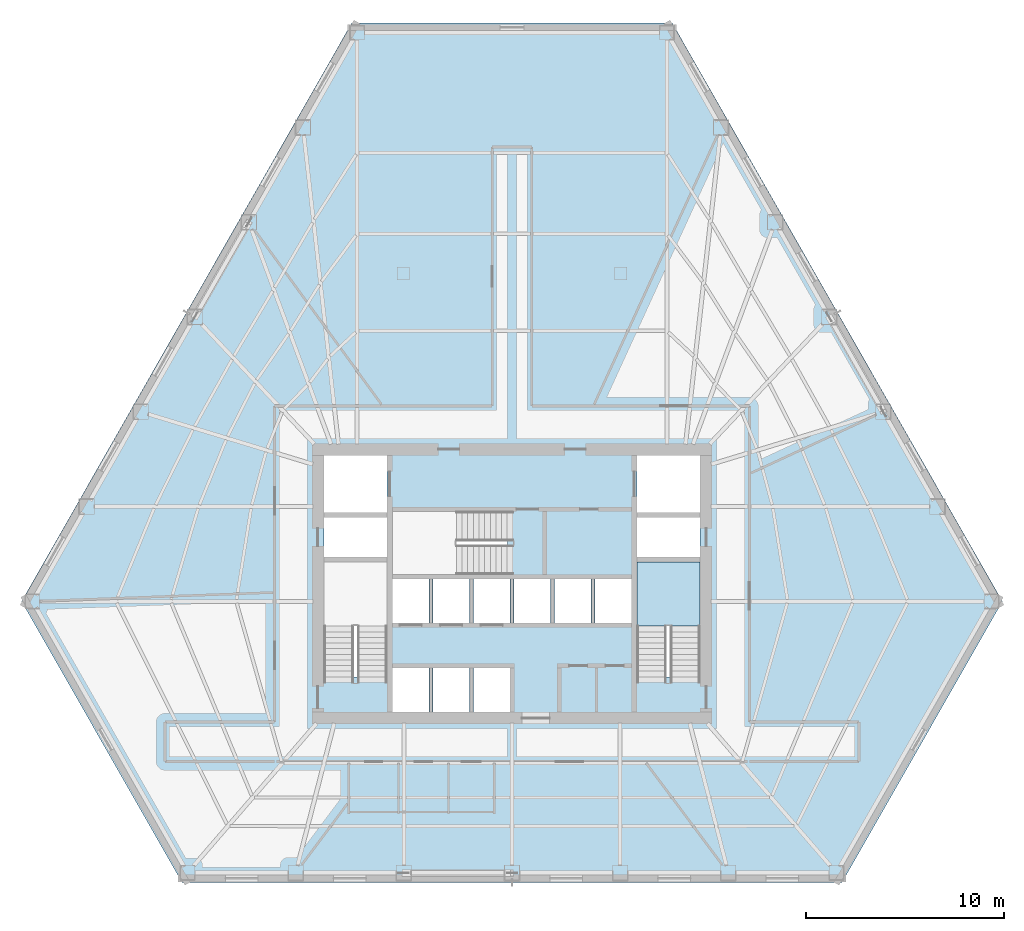
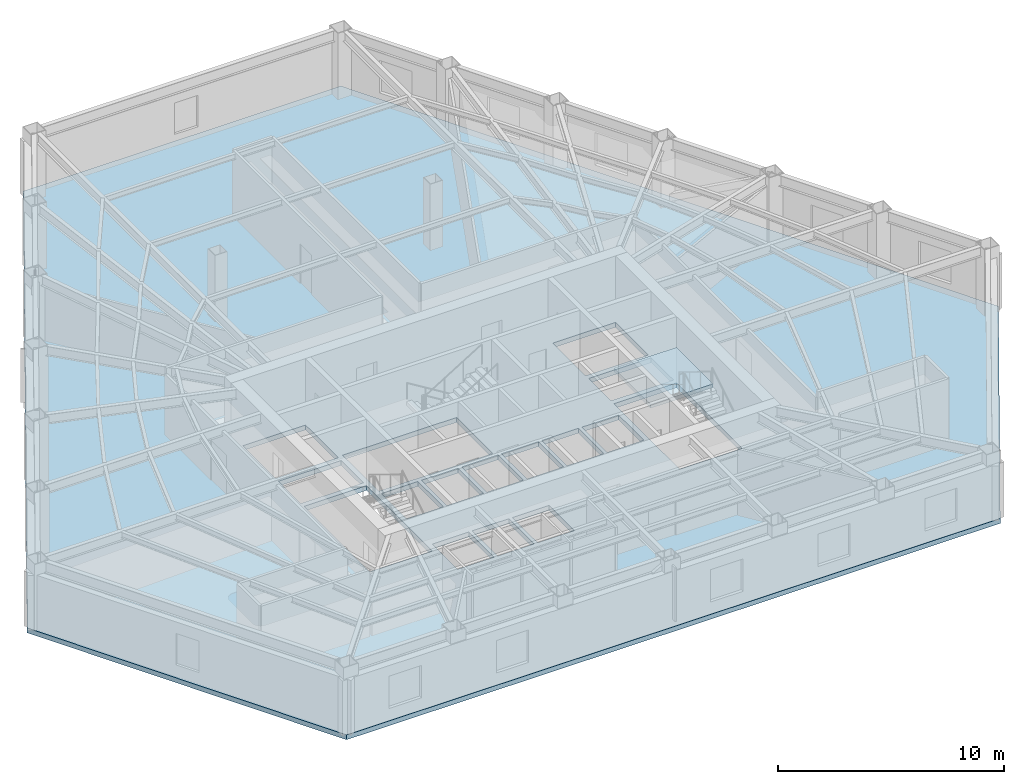
# One storey, part 3 of 11: 2 slabs, 1 element without a shape of its own.
"""IFC4 building model written with IfcOpenShell, lengths in metres."""

import ifcopenshell
import ifcopenshell.guid

model = None  # the IFC model being written
_history = None  # IfcOwnerHistory: only IFC2X3 demands one
_inside = {}  # id of a spatial element -> (the spatial element, [elements in it])
_under = {}  # id of a project, library or spatial element -> (it, [spatial elements below it])
_declared = {}  # id of a project -> (the project, [libraries it declares])
_typed = {}  # id of a type object -> (the type object, [elements of that type])
_made_of = {}  # id of a material, layer set ... -> (it, [elements and type objects made of it])


def new_model(schema):
    """Start an empty IFC model of exactly this schema.

    Asked for "IFC4X3", IfcOpenShell would pick the latest addendum, in which some entities
    have other attributes; the version numbers below select the first issue.
    IFC2X3 requires an IfcOwnerHistory on every rooted entity: one is made here for all.
    """
    global model, _history
    if schema == "IFC4X3":
        model = ifcopenshell.file(schema_version=(4, 3, 0, 0))
    else:
        model = ifcopenshell.file(schema=schema)
    _inside.clear()
    _under.clear()
    _declared.clear()
    _typed.clear()
    _made_of.clear()
    _history = None
    if model.schema == "IFC2X3":
        org = make("IfcOrganization", Name="unknown")
        user = make(
            "IfcPersonAndOrganization",
            ThePerson=make("IfcPerson", FamilyName="unknown"),
            TheOrganization=org,
        )
        app = make(
            "IfcApplication",
            ApplicationDeveloper=org,
            Version="unknown",
            ApplicationFullName="unknown",
            ApplicationIdentifier="unknown",
        )
        _history = make(
            "IfcOwnerHistory",
            OwningUser=user,
            OwningApplication=app,
            ChangeAction="ADDED",
            CreationDate=0,
        )
    return model


def make(cls, **values):
    """One entity of the class cls with the attributes given. An attribute that is None is left unset."""
    return model.create_entity(
        cls, **{name: value for name, value in values.items() if value is not None}
    )


def rooted(cls, **values):
    """An entity with a GlobalId (a new one), such as an element, a storey or a relation."""
    return make(cls, GlobalId=ifcopenshell.guid.new(), OwnerHistory=_history, **values)


def si_unit(unit_type, name, prefix=None):
    """IfcSIUnit, for example si_unit("LENGTHUNIT", "METRE", prefix="MILLI")."""
    return make("IfcSIUnit", UnitType=unit_type, Prefix=prefix, Name=name)


def assignment(units):
    """IfcUnitAssignment: the units of a project."""
    return None if units is None else make("IfcUnitAssignment", Units=units)


def point(xyz):
    """IfcCartesianPoint."""
    return None if xyz is None else make("IfcCartesianPoint", Coordinates=xyz)


def direction(xyz):
    """IfcDirection."""
    return None if xyz is None else make("IfcDirection", DirectionRatios=xyz)


def frame(location, z_axis=None, x_axis=None):
    """IfcAxis2Placement3D, a coordinate frame: its origin and axes. An axis left out is left unset."""
    return make(
        "IfcAxis2Placement3D",
        Location=point(location),
        Axis=direction(z_axis),
        RefDirection=direction(x_axis),
    )


def origin():
    """The frame at (0, 0, 0) with its axes left unset."""
    return frame((0.0, 0.0, 0.0))


def place(relative_to, where):
    """IfcLocalPlacement: puts the frame where relative to a parent placement (None: the world)."""
    return make(
        "IfcLocalPlacement", PlacementRelTo=relative_to, RelativePlacement=where
    )


def context(
    kind, dimensions, precision=None, world=None, true_north=None, identifier=None
):
    """IfcGeometricRepresentationContext, for example the 3D "Model" context."""
    return make(
        "IfcGeometricRepresentationContext",
        ContextIdentifier=identifier,
        ContextType=kind,
        CoordinateSpaceDimension=dimensions,
        Precision=precision,
        WorldCoordinateSystem=world,
        TrueNorth=true_north,
    )


def subcontext(parent, identifier, kind, view, scale=None):
    """IfcGeometricRepresentationSubContext, for example "Body" below "Model"."""
    return make(
        "IfcGeometricRepresentationSubContext",
        ContextIdentifier=identifier,
        ContextType=kind,
        ParentContext=parent,
        TargetScale=scale,
        TargetView=view,
    )


def project(units=None, contexts=None):
    """IfcProject with its units and contexts."""
    return rooted(
        "IfcProject",
        Name="project",
        RepresentationContexts=contexts,
        UnitsInContext=assignment(units),
    )


def spatial(cls, under=None, at=None, **own):
    """A site, building, storey or space (cls), placed at a placement, below another one or the project."""
    s = rooted(cls, ObjectPlacement=at, **own)
    if under is not None:
        _under.setdefault(under.id(), (under, []))[1].append(s)
    return s


def polyline(points):
    """IfcPolyline through the points."""
    return make("IfcPolyline", Points=[point(p) for p in points])


def outline(outer, holes=None, kind="AREA"):
    """IfcArbitraryClosedProfileDef: a profile drawn as a closed curve; with holes, ...WithVoids."""
    if holes is None:
        return make("IfcArbitraryClosedProfileDef", ProfileType=kind, OuterCurve=outer)
    return make(
        "IfcArbitraryProfileDefWithVoids",
        ProfileType=kind,
        OuterCurve=outer,
        InnerCurves=holes,
    )


def extrude(swept, where, along, depth):
    """IfcExtrudedAreaSolid: the profile swept, set in the frame where, extruded along a direction by depth."""
    return make(
        "IfcExtrudedAreaSolid",
        SweptArea=swept,
        Position=where,
        ExtrudedDirection=direction(along),
        Depth=depth,
    )


def shape(context_of_items, identifier, shape_type, items):
    """IfcShapeRepresentation: the items that make up one representation, for example the "Body"."""
    return make(
        "IfcShapeRepresentation",
        ContextOfItems=context_of_items,
        RepresentationIdentifier=identifier,
        RepresentationType=shape_type,
        Items=items,
    )


def material(Name=None, Category=None):
    """IfcMaterial."""
    return make("IfcMaterial", Name=Name, Category=Category)


def layer(
    of_material, thickness, ventilated=None, Name=None, Category=None, Priority=None
):
    """IfcMaterialLayer: one layer of a wall or slab, of a material (None: an air gap)."""
    return make(
        "IfcMaterialLayer",
        Material=of_material,
        LayerThickness=thickness,
        IsVentilated=ventilated,
        Name=Name,
        Category=Category,
        Priority=Priority,
    )


def layer_set(layers, Name=None):
    """IfcMaterialLayerSet."""
    return make("IfcMaterialLayerSet", MaterialLayers=layers, LayerSetName=Name)


def made_of(thing, what):
    """Note that an element or type object is made of a material, layer set ...; save() writes the relation."""
    if what is not None:
        _made_of.setdefault(what.id(), (what, []))[1].append(thing)
    return thing


def type_object(cls, material=None, **own):
    """A type object (cls), such as IfcWallType, which elements share."""
    return made_of(rooted(cls, **own), material)


def element(
    cls,
    number,
    at=None,
    inside=None,
    cuts=None,
    type_object=None,
    material=None,
    context=None,
    identifier="Body",
    shape_type=None,
    held_by="IfcProductDefinitionShape",
    body=None,
    shapes=None,
    **own,
):
    """One element of the class cls, such as IfcWall. Its Tag is "e" and its number.

    at: its placement. inside: the storey or other place that contains it. cuts: it is an
    opening in that element (IfcRelVoidsElement). A single representation is given by context,
    identifier, shape_type and body (its items); several are given by shapes. held_by: the class
    of the entity that holds the representations. save() writes the other relations.
    """
    e = rooted(cls, Tag="e%d" % number, ObjectPlacement=at, **own)
    if body is not None:
        shapes = [shape(context, identifier, shape_type, body)]
    if shapes is not None:
        e.Representation = make(held_by, Representations=shapes)
    if inside is not None:
        _inside.setdefault(inside.id(), (inside, []))[1].append(e)
    if cuts is not None:
        rooted(
            "IfcRelVoidsElement", RelatingBuildingElement=cuts, RelatedOpeningElement=e
        )
    if type_object is not None:
        _typed.setdefault(type_object.id(), (type_object, []))[1].append(e)
    return made_of(e, material)


def aggregate(whole, parts):
    """IfcRelAggregates: a whole, such as a stair, and the parts it consists of."""
    return rooted("IfcRelAggregates", RelatingObject=whole, RelatedObjects=parts)


def save(model, path):
    """Write the relations noted so far, then the file.

    IfcRelAggregates (storeys below a building ...), IfcRelContainedInSpatialStructure (elements
    in a storey), IfcRelDefinesByType, IfcRelAssociatesMaterial and IfcRelDeclares: one each for
    every whole, place, type object, material and project.
    """
    for whole, parts in _under.values():
        aggregate(whole, parts)
    for where, things in _inside.values():
        rooted(
            "IfcRelContainedInSpatialStructure",
            RelatedElements=things,
            RelatingStructure=where,
        )
    for kind, things in _typed.values():
        rooted("IfcRelDefinesByType", RelatedObjects=things, RelatingType=kind)
    for what, things in _made_of.values():
        rooted("IfcRelAssociatesMaterial", RelatedObjects=things, RelatingMaterial=what)
    for by, libraries in _declared.values():
        rooted("IfcRelDeclares", RelatingContext=by, RelatedDefinitions=libraries)
    model.write(path)


model = new_model("IFC4")

# Units and contexts
model_context = context("Model", 3, precision=1e-05, world=origin(), true_north=direction((0.0, 1.0)))
body_context = subcontext(model_context, "Body", "Model", "MODEL_VIEW")
ifc_project = project(units=[si_unit("LENGTHUNIT", "METRE"), si_unit("AREAUNIT", "SQUARE_METRE"), si_unit("VOLUMEUNIT", "CUBIC_METRE"), si_unit("PLANEANGLEUNIT", "RADIAN"), si_unit("MASSUNIT", "GRAM", prefix="KILO")], contexts=[model_context])

# Site, building, storey
site_placement = place(None, origin())
site = spatial("IfcSite", under=ifc_project, at=site_placement, CompositionType="ELEMENT")
building_placement = place(site_placement, origin())
building = spatial("IfcBuilding", under=site, at=building_placement, Name="Kavelnor Concourse Tower", CompositionType="ELEMENT")
storey_placement = place(building_placement, frame((0.0, 0.0, 25.25)))
storey = spatial("IfcBuildingStorey", under=building, at=storey_placement, Name="L06", CompositionType="ELEMENT", Elevation=25.25)

# Stair, slab
ifc_material = material(Name="Concrete C40/50", Category="concrete")
stair_type = type_object("IfcStairType", Name="STR-CORE-1500", PredefinedType="HALF_TURN_STAIR", material=ifc_material)
stair_placement = place(storey_placement, origin())
stair = element("IfcStair", 1, at=stair_placement, inside=storey, type_object=stair_type, Name="L06 ST2", PredefinedType="HALF_TURN_STAIR")
ifc_layer_1 = layer(ifc_material, 0.199951171875, Name="Concrete C40/50")
ifc_layer_set_1 = layer_set([ifc_layer_1], Name="Concrete C40/50")
slab_type_1 = type_object("IfcSlabType", Name="SLB-LANDING-200", PredefinedType="LANDING", material=ifc_layer_set_1)
slab_1_placement = place(storey_placement, frame((0.0, 0.0, 1.72509765625)))
slab_1 = element("IfcSlab", 2, at=slab_1_placement, type_object=slab_type_1, Name="ST2 landing 1", PredefinedType="LANDING", context=body_context, shape_type="SweptSolid", body=[
    extrude(outline(polyline([(47.52001953125, 13.949951171875), (47.52001953125, 17.199951171875), (44.320068359375, 17.199951171875), (44.320068359375, 13.949951171875), (47.52001953125, 13.949951171875)])), origin(), (0.0, 0.0, 1.0), 0.199951171875),
])
aggregate(stair, [slab_1])

# Slab
ifc_layer_2 = layer(ifc_material, 0.260009765625, Name="Concrete C40/50")
ifc_layer_set_2 = layer_set([ifc_layer_2], Name="Concrete C40/50")
slab_type_2 = type_object("IfcSlabType", Name="SLB-OFFICE-260", PredefinedType="FLOOR", material=ifc_layer_set_2)
slab_2_placement = place(storey_placement, frame((0.0, 0.0, -0.260009765625)))
element("IfcSlab", 3, at=slab_2_placement, inside=storey, type_object=slab_type_2, Name="L06 Composite Structural Floor Slab", PredefinedType="FLOOR", context=body_context, shape_type="SweptSolid", body=[
    extrude(outline(polyline([(46.118408203125, 44.46728515625), (29.881591796875, 44.46728515625), (13.179931640625, 15.206298828125), (21.298095703125, 0.98291015625), (54.701904296875, 0.98291015625), (62.820068359375, 15.206298828125), (46.118408203125, 44.46728515625)]), holes=[polyline([(28.47998046875, 11.3798828125), (31.679931640625, 11.3798828125), (31.679931640625, 17.199951171875), (28.47998046875, 17.199951171875), (28.47998046875, 11.3798828125)]), polyline([(44.320068359375, 11.3798828125), (47.52001953125, 11.3798828125), (47.52001953125, 17.199951171875), (44.320068359375, 17.199951171875), (44.320068359375, 11.3798828125)]), polyline([(31.93994140625, 16.56005859375), (37.760009765625, 16.56005859375), (37.760009765625, 19.760009765625), (31.93994140625, 19.760009765625), (31.93994140625, 16.56005859375)]), polyline([(28.47998046875, 19.699951171875), (31.679931640625, 19.699951171875), (31.679931640625, 22.60009765625), (28.47998046875, 22.60009765625), (28.47998046875, 19.699951171875)]), polyline([(44.320068359375, 19.699951171875), (47.52001953125, 19.699951171875), (47.52001953125, 22.60009765625), (44.320068359375, 22.60009765625), (44.320068359375, 19.699951171875)]), polyline([(31.93994140625, 14.10009765625), (33.81005859375, 14.10009765625), (33.81005859375, 16.340087890625), (31.93994140625, 16.340087890625), (31.93994140625, 14.10009765625)]), polyline([(33.989990234375, 14.10009765625), (35.860107421875, 14.10009765625), (35.860107421875, 16.340087890625), (33.989990234375, 16.340087890625), (33.989990234375, 14.10009765625)]), polyline([(36.0400390625, 14.10009765625), (37.909912109375, 14.10009765625), (37.909912109375, 16.340087890625), (36.0400390625, 16.340087890625), (36.0400390625, 14.10009765625)]), polyline([(38.090087890625, 14.10009765625), (39.9599609375, 14.10009765625), (39.9599609375, 16.340087890625), (38.090087890625, 16.340087890625), (38.090087890625, 14.10009765625)]), polyline([(40.139892578125, 14.10009765625), (42.010009765625, 14.10009765625), (42.010009765625, 16.340087890625), (40.139892578125, 16.340087890625), (40.139892578125, 14.10009765625)]), polyline([(42.18994140625, 14.10009765625), (44.06005859375, 14.10009765625), (44.06005859375, 16.340087890625), (42.18994140625, 16.340087890625), (42.18994140625, 14.10009765625)]), polyline([(31.93994140625, 9.60009765625), (33.81005859375, 9.60009765625), (33.81005859375, 11.840087890625), (31.93994140625, 11.840087890625), (31.93994140625, 9.60009765625)]), polyline([(33.989990234375, 9.60009765625), (35.860107421875, 9.60009765625), (35.860107421875, 11.840087890625), (33.989990234375, 11.840087890625), (33.989990234375, 9.60009765625)]), polyline([(36.0400390625, 9.60009765625), (37.909912109375, 9.60009765625), (37.909912109375, 11.840087890625), (36.0400390625, 11.840087890625), (36.0400390625, 9.60009765625)]), polyline([(28.47998046875, 17.4599609375), (31.679931640625, 17.4599609375), (31.679931640625, 19.43994140625), (28.47998046875, 19.43994140625), (28.47998046875, 17.4599609375)]), polyline([(44.320068359375, 17.4599609375), (47.52001953125, 17.4599609375), (47.52001953125, 19.43994140625), (44.320068359375, 19.43994140625), (44.320068359375, 17.4599609375)])]), origin(), (0.0, 0.0, 1.0), 0.260009765625),
])

save(model, "model.ifc")
